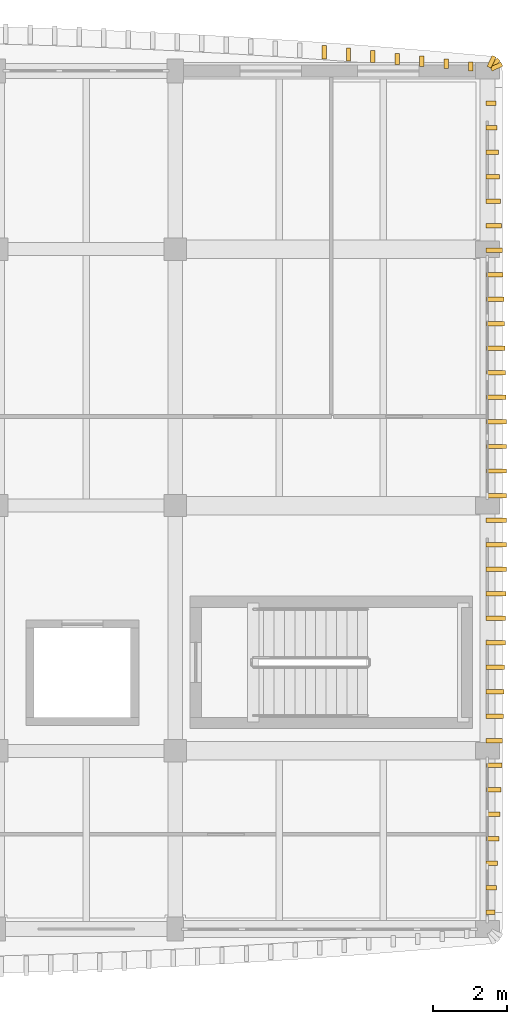
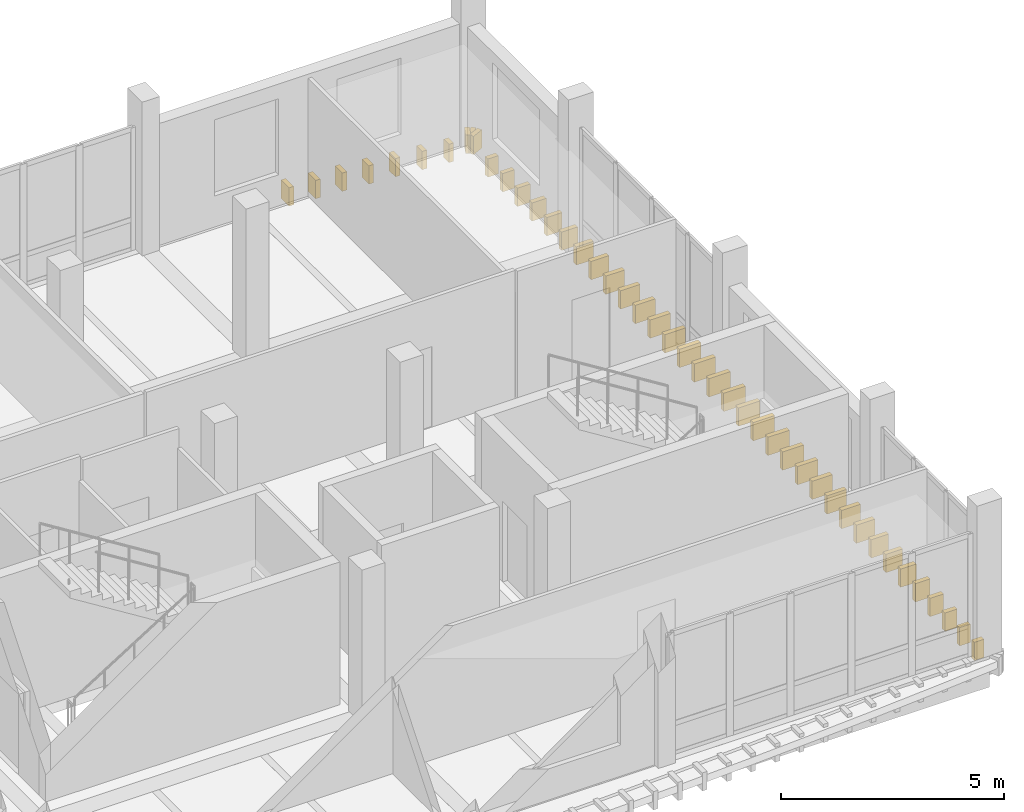
# One storey, part 16 of 16: 44 coverings.
"""IFC4 building model written with IfcOpenShell, lengths in metres."""

import ifcopenshell
import ifcopenshell.guid

model = None  # the IFC model being written
_history = None  # IfcOwnerHistory: only IFC2X3 demands one
_inside = {}  # id of a spatial element -> (the spatial element, [elements in it])
_under = {}  # id of a project, library or spatial element -> (it, [spatial elements below it])
_declared = {}  # id of a project -> (the project, [libraries it declares])
_typed = {}  # id of a type object -> (the type object, [elements of that type])
_made_of = {}  # id of a material, layer set ... -> (it, [elements and type objects made of it])


def new_model(schema):
    """Start an empty IFC model of exactly this schema.

    Asked for "IFC4X3", IfcOpenShell would pick the latest addendum, in which some entities
    have other attributes; the version numbers below select the first issue.
    IFC2X3 requires an IfcOwnerHistory on every rooted entity: one is made here for all.
    """
    global model, _history
    if schema == "IFC4X3":
        model = ifcopenshell.file(schema_version=(4, 3, 0, 0))
    else:
        model = ifcopenshell.file(schema=schema)
    _inside.clear()
    _under.clear()
    _declared.clear()
    _typed.clear()
    _made_of.clear()
    _history = None
    if model.schema == "IFC2X3":
        org = make("IfcOrganization", Name="unknown")
        user = make(
            "IfcPersonAndOrganization",
            ThePerson=make("IfcPerson", FamilyName="unknown"),
            TheOrganization=org,
        )
        app = make(
            "IfcApplication",
            ApplicationDeveloper=org,
            Version="unknown",
            ApplicationFullName="unknown",
            ApplicationIdentifier="unknown",
        )
        _history = make(
            "IfcOwnerHistory",
            OwningUser=user,
            OwningApplication=app,
            ChangeAction="ADDED",
            CreationDate=0,
        )
    return model


def make(cls, **values):
    """One entity of the class cls with the attributes given. An attribute that is None is left unset."""
    return model.create_entity(
        cls, **{name: value for name, value in values.items() if value is not None}
    )


def rooted(cls, **values):
    """An entity with a GlobalId (a new one), such as an element, a storey or a relation."""
    return make(cls, GlobalId=ifcopenshell.guid.new(), OwnerHistory=_history, **values)


def si_unit(unit_type, name, prefix=None):
    """IfcSIUnit, for example si_unit("LENGTHUNIT", "METRE", prefix="MILLI")."""
    return make("IfcSIUnit", UnitType=unit_type, Prefix=prefix, Name=name)


def assignment(units):
    """IfcUnitAssignment: the units of a project."""
    return None if units is None else make("IfcUnitAssignment", Units=units)


def point(xyz):
    """IfcCartesianPoint."""
    return None if xyz is None else make("IfcCartesianPoint", Coordinates=xyz)


def direction(xyz):
    """IfcDirection."""
    return None if xyz is None else make("IfcDirection", DirectionRatios=xyz)


def frame(location, z_axis=None, x_axis=None):
    """IfcAxis2Placement3D, a coordinate frame: its origin and axes. An axis left out is left unset."""
    return make(
        "IfcAxis2Placement3D",
        Location=point(location),
        Axis=direction(z_axis),
        RefDirection=direction(x_axis),
    )


def frame_2d(location, x_axis=None):
    """IfcAxis2Placement2D, a coordinate frame in the plane: its origin and x axis."""
    return make(
        "IfcAxis2Placement2D", Location=point(location), RefDirection=direction(x_axis)
    )


def origin():
    """The frame at (0, 0, 0) with its axes left unset."""
    return frame((0.0, 0.0, 0.0))


def origin_2d():
    """The frame at (0, 0) in the plane with its x axis left unset."""
    return frame_2d((0.0, 0.0))


def place(relative_to, where):
    """IfcLocalPlacement: puts the frame where relative to a parent placement (None: the world)."""
    return make(
        "IfcLocalPlacement", PlacementRelTo=relative_to, RelativePlacement=where
    )


def context(
    kind, dimensions, precision=None, world=None, true_north=None, identifier=None
):
    """IfcGeometricRepresentationContext, for example the 3D "Model" context."""
    return make(
        "IfcGeometricRepresentationContext",
        ContextIdentifier=identifier,
        ContextType=kind,
        CoordinateSpaceDimension=dimensions,
        Precision=precision,
        WorldCoordinateSystem=world,
        TrueNorth=true_north,
    )


def subcontext(parent, identifier, kind, view, scale=None):
    """IfcGeometricRepresentationSubContext, for example "Body" below "Model"."""
    return make(
        "IfcGeometricRepresentationSubContext",
        ContextIdentifier=identifier,
        ContextType=kind,
        ParentContext=parent,
        TargetScale=scale,
        TargetView=view,
    )


def project(units=None, contexts=None):
    """IfcProject with its units and contexts."""
    return rooted(
        "IfcProject",
        Name="project",
        RepresentationContexts=contexts,
        UnitsInContext=assignment(units),
    )


def spatial(cls, under=None, at=None, **own):
    """A site, building, storey or space (cls), placed at a placement, below another one or the project."""
    s = rooted(cls, ObjectPlacement=at, **own)
    if under is not None:
        _under.setdefault(under.id(), (under, []))[1].append(s)
    return s


def profile(cls, at=None, kind="AREA", **sizes):
    """A parametric profile (cls). Its sizes go by their IFC names, for example OverallWidth=200.0."""
    return make(cls, ProfileType=kind, Position=at, **sizes)


def rectangle(**sizes):
    """IfcRectangleProfileDef."""
    return profile("IfcRectangleProfileDef", **sizes)


def extrude(swept, where, along, depth):
    """IfcExtrudedAreaSolid: the profile swept, set in the frame where, extruded along a direction by depth."""
    return make(
        "IfcExtrudedAreaSolid",
        SweptArea=swept,
        Position=where,
        ExtrudedDirection=direction(along),
        Depth=depth,
    )


def shape(context_of_items, identifier, shape_type, items):
    """IfcShapeRepresentation: the items that make up one representation, for example the "Body"."""
    return make(
        "IfcShapeRepresentation",
        ContextOfItems=context_of_items,
        RepresentationIdentifier=identifier,
        RepresentationType=shape_type,
        Items=items,
    )


def material(Name=None, Category=None):
    """IfcMaterial."""
    return make("IfcMaterial", Name=Name, Category=Category)


def layer(
    of_material, thickness, ventilated=None, Name=None, Category=None, Priority=None
):
    """IfcMaterialLayer: one layer of a wall or slab, of a material (None: an air gap)."""
    return make(
        "IfcMaterialLayer",
        Material=of_material,
        LayerThickness=thickness,
        IsVentilated=ventilated,
        Name=Name,
        Category=Category,
        Priority=Priority,
    )


def layer_set(layers, Name=None):
    """IfcMaterialLayerSet."""
    return make("IfcMaterialLayerSet", MaterialLayers=layers, LayerSetName=Name)


def made_of(thing, what):
    """Note that an element or type object is made of a material, layer set ...; save() writes the relation."""
    if what is not None:
        _made_of.setdefault(what.id(), (what, []))[1].append(thing)
    return thing


def type_object(cls, material=None, **own):
    """A type object (cls), such as IfcWallType, which elements share."""
    return made_of(rooted(cls, **own), material)


def element(
    cls,
    number,
    at=None,
    inside=None,
    cuts=None,
    type_object=None,
    material=None,
    context=None,
    identifier="Body",
    shape_type=None,
    held_by="IfcProductDefinitionShape",
    body=None,
    shapes=None,
    **own,
):
    """One element of the class cls, such as IfcWall. Its Tag is "e" and its number.

    at: its placement. inside: the storey or other place that contains it. cuts: it is an
    opening in that element (IfcRelVoidsElement). A single representation is given by context,
    identifier, shape_type and body (its items); several are given by shapes. held_by: the class
    of the entity that holds the representations. save() writes the other relations.
    """
    e = rooted(cls, Tag="e%d" % number, ObjectPlacement=at, **own)
    if body is not None:
        shapes = [shape(context, identifier, shape_type, body)]
    if shapes is not None:
        e.Representation = make(held_by, Representations=shapes)
    if inside is not None:
        _inside.setdefault(inside.id(), (inside, []))[1].append(e)
    if cuts is not None:
        rooted(
            "IfcRelVoidsElement", RelatingBuildingElement=cuts, RelatedOpeningElement=e
        )
    if type_object is not None:
        _typed.setdefault(type_object.id(), (type_object, []))[1].append(e)
    return made_of(e, material)


def aggregate(whole, parts):
    """IfcRelAggregates: a whole, such as a stair, and the parts it consists of."""
    return rooted("IfcRelAggregates", RelatingObject=whole, RelatedObjects=parts)


def save(model, path):
    """Write the relations noted so far, then the file.

    IfcRelAggregates (storeys below a building ...), IfcRelContainedInSpatialStructure (elements
    in a storey), IfcRelDefinesByType, IfcRelAssociatesMaterial and IfcRelDeclares: one each for
    every whole, place, type object, material and project.
    """
    for whole, parts in _under.values():
        aggregate(whole, parts)
    for where, things in _inside.values():
        rooted(
            "IfcRelContainedInSpatialStructure",
            RelatedElements=things,
            RelatingStructure=where,
        )
    for kind, things in _typed.values():
        rooted("IfcRelDefinesByType", RelatedObjects=things, RelatingType=kind)
    for what, things in _made_of.values():
        rooted("IfcRelAssociatesMaterial", RelatedObjects=things, RelatingMaterial=what)
    for by, libraries in _declared.values():
        rooted("IfcRelDeclares", RelatingContext=by, RelatedDefinitions=libraries)
    model.write(path)


model = new_model("IFC4")

# Units and contexts
model_context = context("Model", 3, precision=1e-05, world=origin(), true_north=direction((0.0, 1.0)))
body_context = subcontext(model_context, "Body", "Model", "MODEL_VIEW")
ifc_project = project(units=[si_unit("LENGTHUNIT", "METRE"), si_unit("AREAUNIT", "SQUARE_METRE"), si_unit("VOLUMEUNIT", "CUBIC_METRE"), si_unit("PLANEANGLEUNIT", "RADIAN"), si_unit("MASSUNIT", "GRAM", prefix="KILO")], contexts=[model_context])

# Site, building, storey
site_placement = place(None, origin())
site = spatial("IfcSite", under=ifc_project, at=site_placement, CompositionType="ELEMENT")
building_placement = place(site_placement, origin())
building = spatial("IfcBuilding", under=site, at=building_placement, Name="Dornvale Research Institute", CompositionType="ELEMENT")
storey_placement = place(building_placement, frame((0.0, 0.0, 38.39990234375)))
storey = spatial("IfcBuildingStorey", under=building, at=storey_placement, Name="L08", CompositionType="ELEMENT", Elevation=38.39990234375)

# Coverings
ifc_material = material(Name="Polychrome Glazed Terracotta Visor Rib Ceramic", Category="masonry")
ifc_layer = layer(ifc_material, 0.1201171875)
ifc_layer_set = layer_set([ifc_layer], Name="Polychrome Glazed Terracotta Visor Rib Ceramic")
covering_type = type_object("IfcCoveringType", Name="Covering_VisorBlade_Main", PredefinedType="CLADDING", material=ifc_layer_set)
covering_1_placement = place(storey_placement, frame((40.951904296875, 122.2177734375, -0.489990234375), z_axis=(0.0, 0.0, 1.0), x_axis=(0.0, 1.0, 0.0)))
element("IfcCovering", 1, at=covering_1_placement, inside=storey, type_object=covering_type, Name="L08 V5 canted glazed terracotta visor blade #1400", PredefinedType="CLADDING", context=body_context, shape_type="SweptSolid", body=[
    extrude(rectangle(XDim=0.236083984375, YDim=0.1201171875, at=origin_2d()), origin(), (0.0, 0.0, 1.0), 0.5),
])
covering_2_placement = place(storey_placement, frame((40.294189453125, 122.2880859375, -0.489990234375), z_axis=(0.0, 0.0, 1.0), x_axis=(0.0, 1.0, 0.0)))
element("IfcCovering", 2, at=covering_2_placement, inside=storey, type_object=covering_type, Name="L08 V5 canted glazed terracotta visor blade #1401", PredefinedType="CLADDING", context=body_context, shape_type="SweptSolid", body=[
    extrude(rectangle(XDim=0.260009765625, YDim=0.1201171875, at=origin_2d()), origin(), (0.0, 0.0, 1.0), 0.5),
])
covering_3_placement = place(storey_placement, frame((39.63671875, 122.35693359375, -0.489990234375), z_axis=(0.0, 0.0, 1.0), x_axis=(0.0, 1.0, 0.0)))
element("IfcCovering", 3, at=covering_3_placement, inside=storey, type_object=covering_type, Name="L08 V5 canted glazed terracotta visor blade #1402", PredefinedType="CLADDING", context=body_context, shape_type="SweptSolid", body=[
    extrude(rectangle(XDim=0.282958984375, YDim=0.1201171875, at=origin_2d()), origin(), (0.0, 0.0, 1.0), 0.5),
])
covering_4_placement = place(storey_placement, frame((38.97900390625, 122.42041015625, -0.489990234375), z_axis=(0.0, 0.0, 1.0), x_axis=(0.0, 1.0, 0.0)))
element("IfcCovering", 4, at=covering_4_placement, inside=storey, type_object=covering_type, Name="L08 V5 canted glazed terracotta visor blade #1403", PredefinedType="CLADDING", context=body_context, shape_type="SweptSolid", body=[
    extrude(rectangle(XDim=0.303955078125, YDim=0.1201171875, at=origin_2d()), origin(), (0.0, 0.0, 1.0), 0.5),
])
covering_5_placement = place(storey_placement, frame((38.321044921875, 122.483642578125, -0.489990234375), z_axis=(0.0, 0.0, 1.0), x_axis=(0.0, 1.0, 0.0)))
element("IfcCovering", 5, at=covering_5_placement, inside=storey, type_object=covering_type, Name="L08 V5 canted glazed terracotta visor blade #1404", PredefinedType="CLADDING", context=body_context, shape_type="SweptSolid", body=[
    extrude(rectangle(XDim=0.324951171875, YDim=0.1201171875, at=origin_2d()), origin(), (0.0, 0.0, 1.0), 0.5),
])
covering_6_placement = place(storey_placement, frame((37.662841796875, 122.54296875, -0.489990234375), z_axis=(0.0, 0.0, 1.0), x_axis=(0.0, 1.0, 0.0)))
element("IfcCovering", 6, at=covering_6_placement, inside=storey, type_object=covering_type, Name="L08 V5 canted glazed terracotta visor blade #1405", PredefinedType="CLADDING", context=body_context, shape_type="SweptSolid", body=[
    extrude(rectangle(XDim=0.344970703125, YDim=0.1201171875, at=origin_2d()), origin(), (0.0, 0.0, 1.0), 0.5),
])
covering_7_placement = place(storey_placement, frame((37.004638671875, 122.599609375, -0.489990234375), z_axis=(0.0, 0.0, 1.0), x_axis=(0.0, 1.0, 0.0)))
element("IfcCovering", 7, at=covering_7_placement, inside=storey, type_object=covering_type, Name="L08 V5 canted glazed terracotta visor blade #1406", PredefinedType="CLADDING", context=body_context, shape_type="SweptSolid", body=[
    extrude(rectangle(XDim=0.364013671875, YDim=0.1201171875, at=origin_2d()), origin(), (0.0, 0.0, 1.0), 0.5),
])
covering_8_placement = place(storey_placement, frame((41.48291015625, 99.449951171875, -0.489990234375), z_axis=(0.0, 0.0, 1.0), x_axis=(1.0, 0.0, 0.0)))
element("IfcCovering", 8, at=covering_8_placement, inside=storey, type_object=covering_type, Name="L08 V5 canted glazed terracotta visor blade #1455", PredefinedType="CLADDING", context=body_context, shape_type="SweptSolid", body=[
    extrude(rectangle(XDim=0.24609375, YDim=0.1201171875, at=origin_2d()), origin(), (0.0, 0.0, 1.0), 0.5),
])
covering_9_placement = place(storey_placement, frame((41.5009765625, 100.110107421875, -0.489990234375), z_axis=(0.0, 0.0, 1.0), x_axis=(1.0, 0.0, 0.0)))
element("IfcCovering", 9, at=covering_9_placement, inside=storey, type_object=covering_type, Name="L08 V5 canted glazed terracotta visor blade #1456", PredefinedType="CLADDING", context=body_context, shape_type="SweptSolid", body=[
    extrude(rectangle(XDim=0.281982421875, YDim=0.1201171875, at=origin_2d()), origin(), (0.0, 0.0, 1.0), 0.5),
])
covering_10_placement = place(storey_placement, frame((41.51806640625, 100.77001953125, -0.489990234375), z_axis=(0.0, 0.0, 1.0), x_axis=(1.0, 0.0, 0.0)))
element("IfcCovering", 10, at=covering_10_placement, inside=storey, type_object=covering_type, Name="L08 V5 canted glazed terracotta visor blade #1457", PredefinedType="CLADDING", context=body_context, shape_type="SweptSolid", body=[
    extrude(rectangle(XDim=0.31591796875, YDim=0.1201171875, at=origin_2d()), origin(), (0.0, 0.0, 1.0), 0.5),
])
covering_11_placement = place(storey_placement, frame((41.533935546875, 101.429931640625, -0.489990234375), z_axis=(0.0, 0.0, 1.0), x_axis=(1.0, 0.0, 0.0)))
element("IfcCovering", 11, at=covering_11_placement, inside=storey, type_object=covering_type, Name="L08 V5 canted glazed terracotta visor blade #1458", PredefinedType="CLADDING", context=body_context, shape_type="SweptSolid", body=[
    extrude(rectangle(XDim=0.347900390625, YDim=0.1201171875, at=origin_2d()), origin(), (0.0, 0.0, 1.0), 0.5),
])
covering_12_placement = place(storey_placement, frame((41.549072265625, 102.090087890625, -0.489990234375), z_axis=(0.0, 0.0, 1.0), x_axis=(1.0, 0.0, 0.0)))
element("IfcCovering", 12, at=covering_12_placement, inside=storey, type_object=covering_type, Name="L08 V5 canted glazed terracotta visor blade #1459", PredefinedType="CLADDING", context=body_context, shape_type="SweptSolid", body=[
    extrude(rectangle(XDim=0.3779296875, YDim=0.1201171875, at=origin_2d()), origin(), (0.0, 0.0, 1.0), 0.5),
])
covering_13_placement = place(storey_placement, frame((41.5625, 102.75, -0.489990234375), z_axis=(0.0, 0.0, 1.0), x_axis=(1.0, 0.0, 0.0)))
element("IfcCovering", 13, at=covering_13_placement, inside=storey, type_object=covering_type, Name="L08 V5 canted glazed terracotta visor blade #1460", PredefinedType="CLADDING", context=body_context, shape_type="SweptSolid", body=[
    extrude(rectangle(XDim=0.405029296875, YDim=0.1201171875, at=origin_2d()), origin(), (0.0, 0.0, 1.0), 0.5),
])
covering_14_placement = place(storey_placement, frame((41.574951171875, 103.409912109375, -0.489990234375), z_axis=(0.0, 0.0, 1.0), x_axis=(1.0, 0.0, 0.0)))
element("IfcCovering", 14, at=covering_14_placement, inside=storey, type_object=covering_type, Name="L08 V5 canted glazed terracotta visor blade #1461", PredefinedType="CLADDING", context=body_context, shape_type="SweptSolid", body=[
    extrude(rectangle(XDim=0.429931640625, YDim=0.1201171875, at=origin_2d()), origin(), (0.0, 0.0, 1.0), 0.5),
])
covering_15_placement = place(storey_placement, frame((41.58642578125, 104.070068359375, -0.489990234375), z_axis=(0.0, 0.0, 1.0), x_axis=(1.0, 0.0, 0.0)))
element("IfcCovering", 15, at=covering_15_placement, inside=storey, type_object=covering_type, Name="L08 V5 canted glazed terracotta visor blade #1462", PredefinedType="CLADDING", context=body_context, shape_type="SweptSolid", body=[
    extrude(rectangle(XDim=0.452880859375, YDim=0.1201171875, at=origin_2d()), origin(), (0.0, 0.0, 1.0), 0.5),
])
covering_16_placement = place(storey_placement, frame((41.596923828125, 104.72998046875, -0.489990234375), z_axis=(0.0, 0.0, 1.0), x_axis=(1.0, 0.0, 0.0)))
element("IfcCovering", 16, at=covering_16_placement, inside=storey, type_object=covering_type, Name="L08 V5 canted glazed terracotta visor blade #1463", PredefinedType="CLADDING", context=body_context, shape_type="SweptSolid", body=[
    extrude(rectangle(XDim=0.47412109375, YDim=0.1201171875, at=origin_2d()), origin(), (0.0, 0.0, 1.0), 0.5),
])
covering_17_placement = place(storey_placement, frame((41.60595703125, 105.389892578125, -0.489990234375), z_axis=(0.0, 0.0, 1.0), x_axis=(1.0, 0.0, 0.0)))
element("IfcCovering", 17, at=covering_17_placement, inside=storey, type_object=covering_type, Name="L08 V5 canted glazed terracotta visor blade #1464", PredefinedType="CLADDING", context=body_context, shape_type="SweptSolid", body=[
    extrude(rectangle(XDim=0.491943359375, YDim=0.1201171875, at=origin_2d()), origin(), (0.0, 0.0, 1.0), 0.5),
])
covering_18_placement = place(storey_placement, frame((41.614013671875, 106.050048828125, -0.489990234375), z_axis=(0.0, 0.0, 1.0), x_axis=(1.0, 0.0, 0.0)))
element("IfcCovering", 18, at=covering_18_placement, inside=storey, type_object=covering_type, Name="L08 V5 canted glazed terracotta visor blade #1465", PredefinedType="CLADDING", context=body_context, shape_type="SweptSolid", body=[
    extrude(rectangle(XDim=0.508056640625, YDim=0.1201171875, at=origin_2d()), origin(), (0.0, 0.0, 1.0), 0.5),
])
covering_19_placement = place(storey_placement, frame((41.62109375, 106.7099609375, -0.489990234375), z_axis=(0.0, 0.0, 1.0), x_axis=(1.0, 0.0, 0.0)))
element("IfcCovering", 19, at=covering_19_placement, inside=storey, type_object=covering_type, Name="L08 V5 canted glazed terracotta visor blade #1466", PredefinedType="CLADDING", context=body_context, shape_type="SweptSolid", body=[
    extrude(rectangle(XDim=0.52197265625, YDim=0.1201171875, at=origin_2d()), origin(), (0.0, 0.0, 1.0), 0.5),
])
covering_20_placement = place(storey_placement, frame((41.626953125, 107.3701171875, -0.489990234375), z_axis=(0.0, 0.0, 1.0), x_axis=(1.0, 0.0, 0.0)))
element("IfcCovering", 20, at=covering_20_placement, inside=storey, type_object=covering_type, Name="L08 V5 canted glazed terracotta visor blade #1467", PredefinedType="CLADDING", context=body_context, shape_type="SweptSolid", body=[
    extrude(rectangle(XDim=0.533935546875, YDim=0.1201171875, at=origin_2d()), origin(), (0.0, 0.0, 1.0), 0.5),
])
covering_21_placement = place(storey_placement, frame((41.632080078125, 108.030029296875, -0.489990234375), z_axis=(0.0, 0.0, 1.0), x_axis=(1.0, 0.0, 0.0)))
element("IfcCovering", 21, at=covering_21_placement, inside=storey, type_object=covering_type, Name="L08 V5 canted glazed terracotta visor blade #1468", PredefinedType="CLADDING", context=body_context, shape_type="SweptSolid", body=[
    extrude(rectangle(XDim=0.5439453125, YDim=0.1201171875, at=origin_2d()), origin(), (0.0, 0.0, 1.0), 0.5),
])
covering_22_placement = place(storey_placement, frame((41.635498046875, 108.68994140625, -0.489990234375), z_axis=(0.0, 0.0, 1.0), x_axis=(1.0, 0.0, 0.0)))
element("IfcCovering", 22, at=covering_22_placement, inside=storey, type_object=covering_type, Name="L08 V5 canted glazed terracotta visor blade #1469", PredefinedType="CLADDING", context=body_context, shape_type="SweptSolid", body=[
    extrude(rectangle(XDim=0.551025390625, YDim=0.1201171875, at=origin_2d()), origin(), (0.0, 0.0, 1.0), 0.5),
])
covering_23_placement = place(storey_placement, frame((41.637939453125, 109.35009765625, -0.489990234375), z_axis=(0.0, 0.0, 1.0), x_axis=(1.0, 0.0, 0.0)))
element("IfcCovering", 23, at=covering_23_placement, inside=storey, type_object=covering_type, Name="L08 V5 canted glazed terracotta visor blade #1470", PredefinedType="CLADDING", context=body_context, shape_type="SweptSolid", body=[
    extrude(rectangle(XDim=0.555908203125, YDim=0.1201171875, at=origin_2d()), origin(), (0.0, 0.0, 1.0), 0.5),
])
covering_24_placement = place(storey_placement, frame((41.639404296875, 110.010009765625, -0.489990234375), z_axis=(0.0, 0.0, 1.0), x_axis=(1.0, 0.0, 0.0)))
element("IfcCovering", 24, at=covering_24_placement, inside=storey, type_object=covering_type, Name="L08 V5 canted glazed terracotta visor blade #1471", PredefinedType="CLADDING", context=body_context, shape_type="SweptSolid", body=[
    extrude(rectangle(XDim=0.55908203125, YDim=0.1201171875, at=origin_2d()), origin(), (0.0, 0.0, 1.0), 0.5),
])
covering_25_placement = place(storey_placement, frame((41.639892578125, 110.669921875, -0.489990234375), z_axis=(0.0, 0.0, 1.0), x_axis=(1.0, 0.0, 0.0)))
element("IfcCovering", 25, at=covering_25_placement, inside=storey, type_object=covering_type, Name="L08 V5 canted glazed terracotta visor blade #1472", PredefinedType="CLADDING", context=body_context, shape_type="SweptSolid", body=[
    extrude(rectangle(XDim=0.56005859375, YDim=0.1201171875, at=origin_2d()), origin(), (0.0, 0.0, 1.0), 0.5),
])
covering_26_placement = place(storey_placement, frame((41.638916015625, 111.330078125, -0.489990234375), z_axis=(0.0, 0.0, 1.0), x_axis=(1.0, 0.0, 0.0)))
element("IfcCovering", 26, at=covering_26_placement, inside=storey, type_object=covering_type, Name="L08 V5 canted glazed terracotta visor blade #1473", PredefinedType="CLADDING", context=body_context, shape_type="SweptSolid", body=[
    extrude(rectangle(XDim=0.55810546875, YDim=0.1201171875, at=origin_2d()), origin(), (0.0, 0.0, 1.0), 0.5),
])
covering_27_placement = place(storey_placement, frame((41.637451171875, 111.989990234375, -0.489990234375), z_axis=(0.0, 0.0, 1.0), x_axis=(1.0, 0.0, 0.0)))
element("IfcCovering", 27, at=covering_27_placement, inside=storey, type_object=covering_type, Name="L08 V5 canted glazed terracotta visor blade #1474", PredefinedType="CLADDING", context=body_context, shape_type="SweptSolid", body=[
    extrude(rectangle(XDim=0.554931640625, YDim=0.1201171875, at=origin_2d()), origin(), (0.0, 0.0, 1.0), 0.5),
])
covering_28_placement = place(storey_placement, frame((41.634521484375, 112.64990234375, -0.489990234375), z_axis=(0.0, 0.0, 1.0), x_axis=(1.0, 0.0, 0.0)))
element("IfcCovering", 28, at=covering_28_placement, inside=storey, type_object=covering_type, Name="L08 V5 canted glazed terracotta visor blade #1475", PredefinedType="CLADDING", context=body_context, shape_type="SweptSolid", body=[
    extrude(rectangle(XDim=0.549072265625, YDim=0.1201171875, at=origin_2d()), origin(), (0.0, 0.0, 1.0), 0.5),
])
covering_29_placement = place(storey_placement, frame((41.630615234375, 113.31005859375, -0.489990234375), z_axis=(0.0, 0.0, 1.0), x_axis=(1.0, 0.0, 0.0)))
element("IfcCovering", 29, at=covering_29_placement, inside=storey, type_object=covering_type, Name="L08 V5 canted glazed terracotta visor blade #1476", PredefinedType="CLADDING", context=body_context, shape_type="SweptSolid", body=[
    extrude(rectangle(XDim=0.541015625, YDim=0.1201171875, at=origin_2d()), origin(), (0.0, 0.0, 1.0), 0.5),
])
covering_30_placement = place(storey_placement, frame((41.625, 113.969970703125, -0.489990234375), z_axis=(0.0, 0.0, 1.0), x_axis=(1.0, 0.0, 0.0)))
element("IfcCovering", 30, at=covering_30_placement, inside=storey, type_object=covering_type, Name="L08 V5 canted glazed terracotta visor blade #1477", PredefinedType="CLADDING", context=body_context, shape_type="SweptSolid", body=[
    extrude(rectangle(XDim=0.530029296875, YDim=0.1201171875, at=origin_2d()), origin(), (0.0, 0.0, 1.0), 0.5),
])
covering_31_placement = place(storey_placement, frame((41.618896484375, 114.6298828125, -0.489990234375), z_axis=(0.0, 0.0, 1.0), x_axis=(1.0, 0.0, 0.0)))
element("IfcCovering", 31, at=covering_31_placement, inside=storey, type_object=covering_type, Name="L08 V5 canted glazed terracotta visor blade #1478", PredefinedType="CLADDING", context=body_context, shape_type="SweptSolid", body=[
    extrude(rectangle(XDim=0.51806640625, YDim=0.1201171875, at=origin_2d()), origin(), (0.0, 0.0, 1.0), 0.5),
])
covering_32_placement = place(storey_placement, frame((41.611572265625, 115.2900390625, -0.489990234375), z_axis=(0.0, 0.0, 1.0), x_axis=(1.0, 0.0, 0.0)))
element("IfcCovering", 32, at=covering_32_placement, inside=storey, type_object=covering_type, Name="L08 V5 canted glazed terracotta visor blade #1479", PredefinedType="CLADDING", context=body_context, shape_type="SweptSolid", body=[
    extrude(rectangle(XDim=0.5029296875, YDim=0.1201171875, at=origin_2d()), origin(), (0.0, 0.0, 1.0), 0.5),
])
covering_33_placement = place(storey_placement, frame((41.60302734375, 115.949951171875, -0.489990234375), z_axis=(0.0, 0.0, 1.0), x_axis=(1.0, 0.0, 0.0)))
element("IfcCovering", 33, at=covering_33_placement, inside=storey, type_object=covering_type, Name="L08 V5 canted glazed terracotta visor blade #1480", PredefinedType="CLADDING", context=body_context, shape_type="SweptSolid", body=[
    extrude(rectangle(XDim=0.486083984375, YDim=0.1201171875, at=origin_2d()), origin(), (0.0, 0.0, 1.0), 0.5),
])
covering_34_placement = place(storey_placement, frame((41.593017578125, 116.610107421875, -0.489990234375), z_axis=(0.0, 0.0, 1.0), x_axis=(1.0, 0.0, 0.0)))
element("IfcCovering", 34, at=covering_34_placement, inside=storey, type_object=covering_type, Name="L08 V5 canted glazed terracotta visor blade #1481", PredefinedType="CLADDING", context=body_context, shape_type="SweptSolid", body=[
    extrude(rectangle(XDim=0.466064453125, YDim=0.1201171875, at=origin_2d()), origin(), (0.0, 0.0, 1.0), 0.5),
])
covering_35_placement = place(storey_placement, frame((41.58251953125, 117.27001953125, -0.489990234375), z_axis=(0.0, 0.0, 1.0), x_axis=(1.0, 0.0, 0.0)))
element("IfcCovering", 35, at=covering_35_placement, inside=storey, type_object=covering_type, Name="L08 V5 canted glazed terracotta visor blade #1482", PredefinedType="CLADDING", context=body_context, shape_type="SweptSolid", body=[
    extrude(rectangle(XDim=0.445068359375, YDim=0.1201171875, at=origin_2d()), origin(), (0.0, 0.0, 1.0), 0.5),
])
covering_36_placement = place(storey_placement, frame((41.570556640625, 117.929931640625, -0.489990234375), z_axis=(0.0, 0.0, 1.0), x_axis=(1.0, 0.0, 0.0)))
element("IfcCovering", 36, at=covering_36_placement, inside=storey, type_object=covering_type, Name="L08 V5 canted glazed terracotta visor blade #1483", PredefinedType="CLADDING", context=body_context, shape_type="SweptSolid", body=[
    extrude(rectangle(XDim=0.4208984375, YDim=0.1201171875, at=origin_2d()), origin(), (0.0, 0.0, 1.0), 0.5),
])
covering_37_placement = place(storey_placement, frame((41.5576171875, 118.590087890625, -0.489990234375), z_axis=(0.0, 0.0, 1.0), x_axis=(1.0, 0.0, 0.0)))
element("IfcCovering", 37, at=covering_37_placement, inside=storey, type_object=covering_type, Name="L08 V5 canted glazed terracotta visor blade #1484", PredefinedType="CLADDING", context=body_context, shape_type="SweptSolid", body=[
    extrude(rectangle(XDim=0.39501953125, YDim=0.1201171875, at=origin_2d()), origin(), (0.0, 0.0, 1.0), 0.5),
])
covering_38_placement = place(storey_placement, frame((41.54345703125, 119.25, -0.489990234375), z_axis=(0.0, 0.0, 1.0), x_axis=(1.0, 0.0, 0.0)))
element("IfcCovering", 38, at=covering_38_placement, inside=storey, type_object=covering_type, Name="L08 V5 canted glazed terracotta visor blade #1485", PredefinedType="CLADDING", context=body_context, shape_type="SweptSolid", body=[
    extrude(rectangle(XDim=0.366943359375, YDim=0.1201171875, at=origin_2d()), origin(), (0.0, 0.0, 1.0), 0.5),
])
covering_39_placement = place(storey_placement, frame((41.528564453125, 119.909912109375, -0.489990234375), z_axis=(0.0, 0.0, 1.0), x_axis=(1.0, 0.0, 0.0)))
element("IfcCovering", 39, at=covering_39_placement, inside=storey, type_object=covering_type, Name="L08 V5 canted glazed terracotta visor blade #1486", PredefinedType="CLADDING", context=body_context, shape_type="SweptSolid", body=[
    extrude(rectangle(XDim=0.3369140625, YDim=0.1201171875, at=origin_2d()), origin(), (0.0, 0.0, 1.0), 0.5),
])
covering_40_placement = place(storey_placement, frame((41.511962890625, 120.570068359375, -0.489990234375), z_axis=(0.0, 0.0, 1.0), x_axis=(1.0, 0.0, 0.0)))
element("IfcCovering", 40, at=covering_40_placement, inside=storey, type_object=covering_type, Name="L08 V5 canted glazed terracotta visor blade #1487", PredefinedType="CLADDING", context=body_context, shape_type="SweptSolid", body=[
    extrude(rectangle(XDim=0.303955078125, YDim=0.1201171875, at=origin_2d()), origin(), (0.0, 0.0, 1.0), 0.5),
])
covering_41_placement = place(storey_placement, frame((41.494384765625, 121.22998046875, -0.489990234375), z_axis=(0.0, 0.0, 1.0), x_axis=(1.0, 0.0, 0.0)))
element("IfcCovering", 41, at=covering_41_placement, inside=storey, type_object=covering_type, Name="L08 V5 canted glazed terracotta visor blade #1488", PredefinedType="CLADDING", context=body_context, shape_type="SweptSolid", body=[
    extrude(rectangle(XDim=0.26904296875, YDim=0.1201171875, at=origin_2d()), origin(), (0.0, 0.0, 1.0), 0.5),
])
for number, where, z_axis, x_axis, name in (
    (42, (41.644775390625, 122.214111328125, -0.489990234375), (0.0, 0.0, 1.0), (0.906307787037, 0.422618261741, 0.0), "L08 V5 corner-wrapping visor blade #1529"),
    (43, (41.5908203125, 122.291015625, -0.489990234375), (0.0, 0.0, 1.0), (0.707106781187, 0.707106781187, 0.0), "L08 V5 corner-wrapping visor blade #1530"),
    (44, (41.51416015625, 122.3447265625, -0.489990234375), (0.0, 0.0, 1.0), (0.422618261741, 0.906307787037, 0.0), "L08 V5 corner-wrapping visor blade #1531"),
):
    element("IfcCovering", number, at=place(storey_placement, frame(where, z_axis=z_axis, x_axis=x_axis)), inside=storey, type_object=covering_type, Name=name, PredefinedType="CLADDING", context=body_context, shape_type="SweptSolid", body=[
        extrude(rectangle(XDim=0.320068359375, YDim=0.1201171875, at=origin_2d()), origin(), (0.0, 0.0, 1.0), 0.5),
    ])

save(model, "model.ifc")
